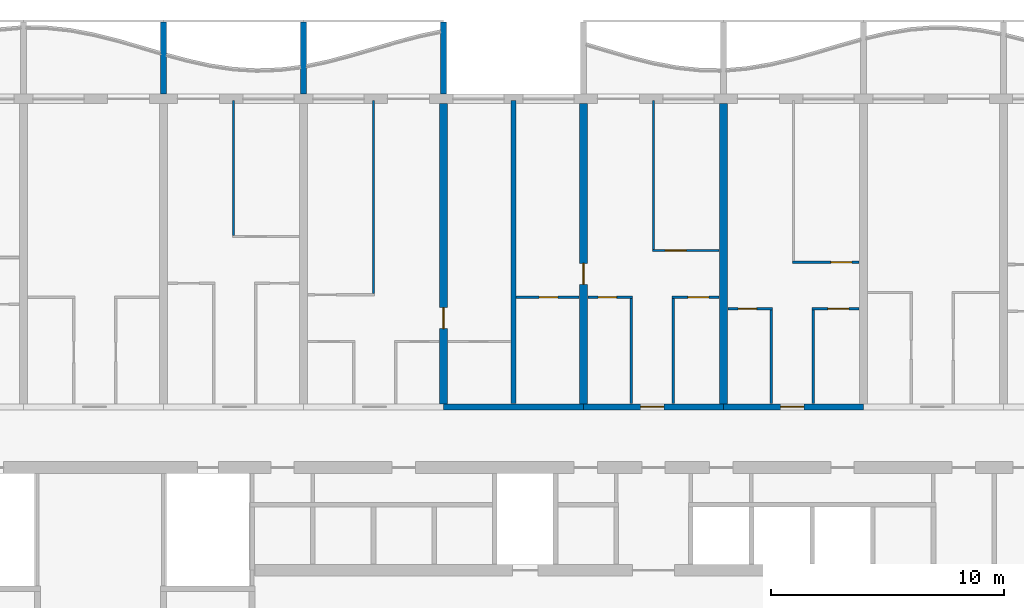
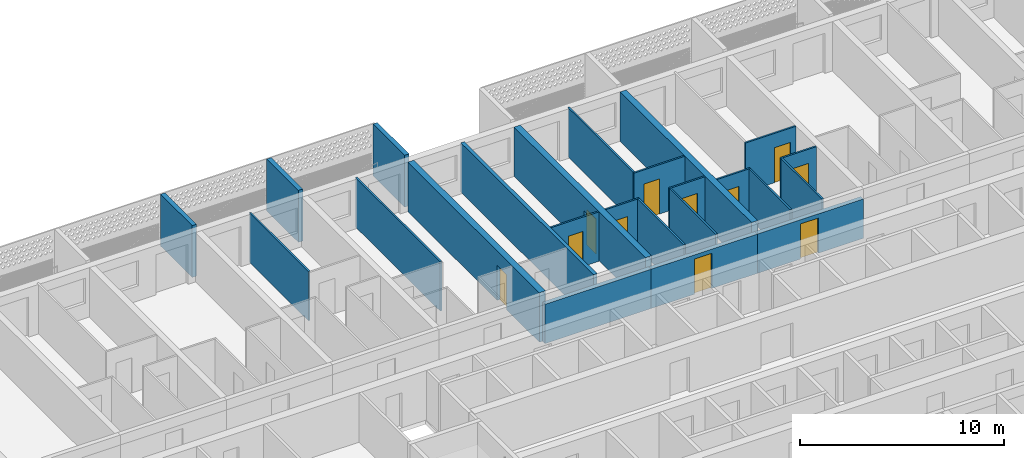
# One storey, part 10 of 24: 24 walls, 11 doors, 11 openings.
"""IFC4 building model written with IfcOpenShell, lengths in metres."""

from ifc_helpers import new_model, si_unit, direction, frame, frame_2d, origin, place, context, subcontext, project, spatial, polyline, rectangle, outline, extrude, source, transform, mapped, material, layer, layer_set, type_object, element, fill, save


model = new_model("IFC4")

# Units and contexts
model_context = context("Model", 3, precision=1e-05, world=origin(), true_north=direction((0.0, 1.0)))
body_context = subcontext(model_context, "Body", "Model", "MODEL_VIEW")
ifc_project = project(units=[si_unit("LENGTHUNIT", "METRE"), si_unit("AREAUNIT", "SQUARE_METRE"), si_unit("VOLUMEUNIT", "CUBIC_METRE"), si_unit("PLANEANGLEUNIT", "RADIAN"), si_unit("MASSUNIT", "GRAM", prefix="KILO")], contexts=[model_context])

# Site, building, storey
site_placement = place(None, origin())
site = spatial("IfcSite", under=ifc_project, at=site_placement, CompositionType="ELEMENT")
building_placement = place(site_placement, origin())
building = spatial("IfcBuilding", under=site, at=building_placement, Name="Poui Terraces", CompositionType="ELEMENT")
storey_placement = place(building_placement, frame((0.0, 0.0, 112.5)))
storey = spatial("IfcBuildingStorey", under=building, at=storey_placement, Name="L31", CompositionType="ELEMENT", Elevation=112.5)

# Wall
ifc_material_1 = material(Name="Concrete 65 MPa", Category="concrete")
ifc_layer_1 = layer(ifc_material_1, 0.25)
ifc_layer_set_1 = layer_set([ifc_layer_1], Name="Concrete 65 MPa")
wall_type_1 = type_object("IfcWallType", Name="CORRIDOR WALL 250 65MPa", PredefinedType="SHEAR", material=ifc_layer_set_1)
wall_1_placement = place(storey_placement, frame((42.0, 30.39990234375, 0.0), z_axis=(0.0, 0.0, 1.0), x_axis=(1.0, 0.0, 0.0)))
element("IfcWall", 1, at=wall_1_placement, inside=storey, type_object=wall_type_1, Name="CORRIDOR WALL LINE E BAY 6", PredefinedType="SHEAR", context=body_context, shape_type="SweptSolid", body=[
    extrude(rectangle(XDim=6.0, YDim=0.25, at=frame_2d((3.0, 0.0))), origin(), (0.0, 0.0, 1.0), 2.35009765625),
])

# Wall, opening, door
wall_2_placement = place(storey_placement, frame((48.0, 30.39990234375, 0.0), z_axis=(0.0, 0.0, 1.0), x_axis=(1.0, 0.0, 0.0)))
wall_2 = element("IfcWall", 2, at=wall_2_placement, inside=storey, type_object=wall_type_1, Name="CORRIDOR WALL LINE E BAY 7", PredefinedType="SHEAR", context=body_context, shape_type="SweptSolid", body=[
    extrude(rectangle(XDim=6.0, YDim=0.25, at=frame_2d((3.0, 0.0))), origin(), (0.0, 0.0, 1.0), 2.35009765625),
])
opening_1_placement = place(wall_2_placement, frame((2.449951171875, 0.0, 0.0)))
opening_1 = element("IfcOpeningElement", 3, at=opening_1_placement, cuts=wall_2, Name="Opening FD30S", PredefinedType="OPENING", context=body_context, shape_type="SweptSolid", body=[
    extrude(rectangle(XDim=1.0, YDim=2.10009765625, at=frame_2d((0.5, 1.050048828125))), frame((0.0, 0.135009765625, 0.0), z_axis=(0.0, -1.0, 0.0), x_axis=(1.0, 0.0, 0.0)), (0.0, 0.0, 1.0), 0.27001953125),
])
ifc_material_2 = material(Name="Steel fire door", Category="steel")
door_type_1 = type_object("IfcDoorType", Name="FLAT ENTRANCE DOOR 1000 X 2100", OperationType="NOTDEFINED", PredefinedType="DOOR", material=ifc_material_2)
door_1_placement = place(opening_1_placement, origin())
door_1 = element("IfcDoor", 4, at=door_1_placement, inside=storey, type_object=door_type_1, Name="FLAT ENTRANCE DOOR 051", OperationType="SINGLE_SWING_LEFT", OverallHeight=2.10009765625, OverallWidth=1.0, PredefinedType="DOOR", context=body_context, shape_type="SweptSolid", body=[
    extrude(rectangle(XDim=1.0, YDim=2.10009765625, at=frame_2d((0.5, 1.050048828125))), frame((0.0, 0.02490234375, 0.0), z_axis=(0.0, -1.0, 0.0), x_axis=(1.0, 0.0, 0.0)), (0.0, 0.0, 1.0), 0.050048828125),
])
fill(opening_1, door_1)

wall_3_placement = place(storey_placement, frame((54.0, 30.39990234375, 0.0), z_axis=(0.0, 0.0, 1.0), x_axis=(1.0, 0.0, 0.0)))
wall_3 = element("IfcWall", 5, at=wall_3_placement, inside=storey, type_object=wall_type_1, Name="CORRIDOR WALL LINE E BAY 8", PredefinedType="SHEAR", context=body_context, shape_type="SweptSolid", body=[
    extrude(rectangle(XDim=6.0, YDim=0.25, at=frame_2d((3.0, 0.0))), origin(), (0.0, 0.0, 1.0), 2.35009765625),
])
opening_2_placement = place(wall_3_placement, frame((2.449951171875, 0.0, 0.0)))
opening_2 = element("IfcOpeningElement", 6, at=opening_2_placement, cuts=wall_3, Name="Opening FD30S", PredefinedType="OPENING", context=body_context, shape_type="SweptSolid", body=[
    extrude(rectangle(XDim=1.0, YDim=2.10009765625, at=frame_2d((0.5, 1.050048828125))), frame((0.0, 0.135009765625, 0.0), z_axis=(0.0, -1.0, 0.0), x_axis=(1.0, 0.0, 0.0)), (0.0, 0.0, 1.0), 0.27001953125),
])
door_2_placement = place(opening_2_placement, origin())
door_2 = element("IfcDoor", 7, at=door_2_placement, inside=storey, type_object=door_type_1, Name="FLAT ENTRANCE DOOR 055", OperationType="SINGLE_SWING_LEFT", OverallHeight=2.10009765625, OverallWidth=1.0, PredefinedType="DOOR", context=body_context, shape_type="SweptSolid", body=[
    extrude(rectangle(XDim=1.0, YDim=2.10009765625, at=frame_2d((0.5, 1.050048828125))), frame((0.0, 0.02490234375, 0.0), z_axis=(0.0, -1.0, 0.0), x_axis=(1.0, 0.0, 0.0)), (0.0, 0.0, 1.0), 0.050048828125),
])
fill(opening_2, door_2)

ifc_layer_2 = layer(ifc_material_1, 0.35009765625)
ifc_layer_set_2 = layer_set([ifc_layer_2], Name="Concrete 65 MPa")
wall_type_2 = type_object("IfcWallType", Name="CROSS WALL 350 65MPa", PredefinedType="SHEAR", material=ifc_layer_set_2)
wall_4_placement = place(storey_placement, frame((42.0, 30.52490234375, 0.0), z_axis=(0.0, 0.0, 1.0), x_axis=(0.0, 1.0, 0.0)))
wall_4 = element("IfcWall", 8, at=wall_4_placement, inside=storey, type_object=wall_type_2, Name="CROSS WALL LINE 8 NORTH", PredefinedType="SHEAR", context=body_context, shape_type="SweptSolid", body=[
    extrude(rectangle(XDim=12.875, YDim=0.35009765625, at=frame_2d((6.4375, 0.0))), origin(), (0.0, 0.0, 1.0), 2.949951171875),
])
opening_3_placement = place(wall_4_placement, frame((3.22509765625, 0.0, 0.0)))
opening_3 = element("IfcOpeningElement", 9, at=opening_3_placement, cuts=wall_4, Name="Opening D90", PredefinedType="OPENING", context=body_context, shape_type="SweptSolid", body=[
    extrude(rectangle(XDim=0.89990234375, YDim=2.10009765625, at=frame_2d((0.449951171875, 1.050048828125))), frame((0.0, 0.18505859375, 0.0), z_axis=(0.0, -1.0, 0.0), x_axis=(1.0, 0.0, 0.0)), (0.0, 0.0, 1.0), 0.3701171875),
])
ifc_material_3 = material(Name="Solid core timber door", Category="wood")
door_type_2 = type_object("IfcDoorType", Name="INTERNAL DOOR 900 X 2100", OperationType="NOTDEFINED", PredefinedType="DOOR", material=ifc_material_3)
door_3_placement = place(opening_3_placement, frame((0.89990234375, 0.0, 0.0), z_axis=(0.0, 0.0, 1.0), x_axis=(-1.0, 0.0, 0.0)))
door_3 = element("IfcDoor", 10, at=door_3_placement, inside=storey, type_object=door_type_2, Name="INTERNAL DOOR 047", OperationType="SINGLE_SWING_RIGHT", OverallHeight=2.10009765625, OverallWidth=0.89990234375, PredefinedType="DOOR", context=body_context, shape_type="SweptSolid", body=[
    extrude(rectangle(XDim=0.89990234375, YDim=2.10009765625, at=frame_2d((0.449951171875, 1.050048828125))), frame((0.0, 0.02490234375, 0.0), z_axis=(0.0, -1.0, 0.0), x_axis=(1.0, 0.0, 0.0)), (0.0, 0.0, 1.0), 0.050048828125),
])
fill(opening_3, door_3)

wall_5_placement = place(storey_placement, frame((48.0, 30.52490234375, 0.0), z_axis=(0.0, 0.0, 1.0), x_axis=(0.0, 1.0, 0.0)))
wall_5 = element("IfcWall", 11, at=wall_5_placement, inside=storey, type_object=wall_type_2, Name="CROSS WALL LINE 9 NORTH", PredefinedType="SHEAR", context=body_context, shape_type="SweptSolid", body=[
    extrude(rectangle(XDim=12.875, YDim=0.35009765625, at=frame_2d((6.4375, 0.0))), origin(), (0.0, 0.0, 1.0), 2.949951171875),
])
opening_4_placement = place(wall_5_placement, frame((5.125, 0.0, 0.0)))
opening_4 = element("IfcOpeningElement", 12, at=opening_4_placement, cuts=wall_5, Name="Opening D90", PredefinedType="OPENING", context=body_context, shape_type="SweptSolid", body=[
    extrude(rectangle(XDim=0.89990234375, YDim=2.10009765625, at=frame_2d((0.449951171875, 1.050048828125))), frame((0.0, 0.18505859375, 0.0), z_axis=(0.0, -1.0, 0.0), x_axis=(1.0, 0.0, 0.0)), (0.0, 0.0, 1.0), 0.3701171875),
])
door_4_placement = place(opening_4_placement, origin())
door_4 = element("IfcDoor", 13, at=door_4_placement, inside=storey, type_object=door_type_2, Name="INTERNAL DOOR 049", OperationType="SINGLE_SWING_LEFT", OverallHeight=2.10009765625, OverallWidth=0.89990234375, PredefinedType="DOOR", context=body_context, shape_type="SweptSolid", body=[
    extrude(rectangle(XDim=0.89990234375, YDim=2.10009765625, at=frame_2d((0.449951171875, 1.050048828125))), frame((0.0, 0.02490234375, 0.0), z_axis=(0.0, -1.0, 0.0), x_axis=(1.0, 0.0, 0.0)), (0.0, 0.0, 1.0), 0.050048828125),
])
fill(opening_4, door_4)

# Wall
wall_6_placement = place(storey_placement, frame((54.0, 30.52490234375, 0.0), z_axis=(0.0, 0.0, 1.0), x_axis=(0.0, 1.0, 0.0)))
element("IfcWall", 14, at=wall_6_placement, inside=storey, type_object=wall_type_2, Name="CROSS WALL LINE 10 NORTH", PredefinedType="SHEAR", context=body_context, shape_type="SweptSolid", body=[
    extrude(rectangle(XDim=12.875, YDim=0.35009765625, at=frame_2d((6.4375, 0.0))), origin(), (0.0, 0.0, 1.0), 2.949951171875),
])

# Wall, opening, door
ifc_material_4 = material(Name="Plasterboard partition")
ifc_layer_3 = layer(ifc_material_4, 0.10009765625)
ifc_layer_set_3 = layer_set([ifc_layer_3], Name="Plasterboard partition")
wall_type_3 = type_object("IfcWallType", Name="FLAT PARTITION 100", PredefinedType="PARTITIONING", material=ifc_layer_set_3)
wall_7_placement = place(storey_placement, frame((54.18505859375, 34.60009765625, 0.0), z_axis=(0.0, 0.0, 1.0), x_axis=(1.0, 0.0, 0.0)))
wall_7 = element("IfcWall", 15, at=wall_7_placement, inside=storey, type_object=wall_type_3, Name="FLAT PARTITION 100", PredefinedType="PARTITIONING", context=body_context, shape_type="SweptSolid", body=[
    extrude(rectangle(XDim=1.9150390625, YDim=0.10009765625, at=frame_2d((0.95751953125, 0.0))), origin(), (0.0, 0.0, 1.0), 2.949951171875),
])
opening_5_placement = place(wall_7_placement, frame((0.43994140625, 0.0, 0.0)))
opening_5 = element("IfcOpeningElement", 16, at=opening_5_placement, cuts=wall_7, Name="Opening D80", PredefinedType="OPENING", context=body_context, shape_type="SweptSolid", body=[
    extrude(rectangle(XDim=0.800048828125, YDim=2.10009765625, at=frame_2d((0.39990234375, 1.050048828125))), frame((0.0, 0.06005859375, 0.0), z_axis=(0.0, -1.0, 0.0), x_axis=(1.0, 0.0, 0.0)), (0.0, 0.0, 1.0), 0.1201171875),
])
door_type_3 = type_object("IfcDoorType", Name="BATHROOM, LAUNDRY AND STORE DOOR 800 X 2100", OperationType="NOTDEFINED", PredefinedType="DOOR", material=ifc_material_3)
door_5_placement = place(opening_5_placement, frame((0.800048828125, 0.0, 0.0), z_axis=(0.0, 0.0, 1.0), x_axis=(-1.0, 0.0, 0.0)))
door_5 = element("IfcDoor", 17, at=door_5_placement, inside=storey, type_object=door_type_3, Name="BATHROOM, LAUNDRY AND STORE DOOR 054", OperationType="SINGLE_SWING_RIGHT", OverallHeight=2.10009765625, OverallWidth=0.800048828125, PredefinedType="DOOR", context=body_context, shape_type="SweptSolid", body=[
    extrude(rectangle(XDim=0.800048828125, YDim=2.10009765625, at=frame_2d((0.39990234375, 1.050048828125))), frame((0.0, 0.02490234375, 0.0), z_axis=(0.0, -1.0, 0.0), x_axis=(1.0, 0.0, 0.0)), (0.0, 0.0, 1.0), 0.050048828125),
])
fill(opening_5, door_5)

wall_8_placement = place(storey_placement, frame((57.800048828125, 34.60009765625, 0.0), z_axis=(0.0, 0.0, 1.0), x_axis=(1.0, 0.0, 0.0)))
wall_8 = element("IfcWall", 18, at=wall_8_placement, inside=storey, type_object=wall_type_3, Name="FLAT PARTITION 100", PredefinedType="PARTITIONING", context=body_context, shape_type="SweptSolid", body=[
    extrude(rectangle(XDim=2.014892578125, YDim=0.10009765625, at=frame_2d((1.00732421875, 0.0))), origin(), (0.0, 0.0, 1.0), 2.949951171875),
])
opening_6_placement = place(wall_8_placement, frame((0.675048828125, 0.0, 0.0)))
opening_6 = element("IfcOpeningElement", 19, at=opening_6_placement, cuts=wall_8, Name="Opening D90", PredefinedType="OPENING", context=body_context, shape_type="SweptSolid", body=[
    extrude(rectangle(XDim=0.89990234375, YDim=2.10009765625, at=frame_2d((0.449951171875, 1.050048828125))), frame((0.0, 0.06005859375, 0.0), z_axis=(0.0, -1.0, 0.0), x_axis=(1.0, 0.0, 0.0)), (0.0, 0.0, 1.0), 0.1201171875),
])
door_6_placement = place(opening_6_placement, frame((0.89990234375, 0.0, 0.0), z_axis=(0.0, 0.0, 1.0), x_axis=(-1.0, 0.0, 0.0)))
door_6 = element("IfcDoor", 20, at=door_6_placement, inside=storey, type_object=door_type_2, Name="INTERNAL DOOR 056", OperationType="SINGLE_SWING_LEFT", OverallHeight=2.10009765625, OverallWidth=0.89990234375, PredefinedType="DOOR", context=body_context, shape_type="SweptSolid", body=[
    extrude(rectangle(XDim=0.89990234375, YDim=2.10009765625, at=frame_2d((0.449951171875, 1.050048828125))), frame((0.0, 0.02490234375, 0.0), z_axis=(0.0, -1.0, 0.0), x_axis=(1.0, 0.0, 0.0)), (0.0, 0.0, 1.0), 0.050048828125),
])
fill(opening_6, door_6)

wall_9_placement = place(storey_placement, frame((45.10009765625, 35.10009765625, 0.0), z_axis=(0.0, 0.0, 1.0), x_axis=(1.0, 0.0, 0.0)))
wall_9 = element("IfcWall", 21, at=wall_9_placement, inside=storey, type_object=wall_type_3, Name="FLAT PARTITION 100", PredefinedType="PARTITIONING", context=body_context, shape_type="SweptSolid", body=[
    extrude(rectangle(XDim=2.71484375, YDim=0.10009765625, at=frame_2d((1.357421875, 0.0))), origin(), (0.0, 0.0, 1.0), 2.949951171875),
])
opening_7_placement = place(wall_9_placement, frame((1.0, 0.0, 0.0)))
opening_7 = element("IfcOpeningElement", 22, at=opening_7_placement, cuts=wall_9, Name="Opening D80", PredefinedType="OPENING", context=body_context, shape_type="SweptSolid", body=[
    extrude(rectangle(XDim=0.800048828125, YDim=2.10009765625, at=frame_2d((0.39990234375, 1.050048828125))), frame((0.0, 0.06005859375, 0.0), z_axis=(0.0, -1.0, 0.0), x_axis=(1.0, 0.0, 0.0)), (0.0, 0.0, 1.0), 0.1201171875),
])
door_7_placement = place(opening_7_placement, frame((0.800048828125, 0.0, 0.0), z_axis=(0.0, 0.0, 1.0), x_axis=(-1.0, 0.0, 0.0)))
door_7 = element("IfcDoor", 23, at=door_7_placement, inside=storey, type_object=door_type_3, Name="BATHROOM, LAUNDRY AND STORE DOOR 048", OperationType="SINGLE_SWING_LEFT", OverallHeight=2.10009765625, OverallWidth=0.800048828125, PredefinedType="DOOR", context=body_context, shape_type="SweptSolid", body=[
    extrude(rectangle(XDim=0.800048828125, YDim=2.10009765625, at=frame_2d((0.39990234375, 1.050048828125))), frame((0.0, 0.02490234375, 0.0), z_axis=(0.0, -1.0, 0.0), x_axis=(1.0, 0.0, 0.0)), (0.0, 0.0, 1.0), 0.050048828125),
])
fill(opening_7, door_7)

wall_10_placement = place(storey_placement, frame((48.18505859375, 35.10009765625, 0.0), z_axis=(0.0, 0.0, 1.0), x_axis=(1.0, 0.0, 0.0)))
wall_10 = element("IfcWall", 24, at=wall_10_placement, inside=storey, type_object=wall_type_3, Name="FLAT PARTITION 100", PredefinedType="PARTITIONING", context=body_context, shape_type="SweptSolid", body=[
    extrude(rectangle(XDim=1.9150390625, YDim=0.10009765625, at=frame_2d((0.95751953125, 0.0))), origin(), (0.0, 0.0, 1.0), 2.949951171875),
])
opening_8_placement = place(wall_10_placement, frame((0.43994140625, 0.0, 0.0)))
opening_8 = element("IfcOpeningElement", 25, at=opening_8_placement, cuts=wall_10, Name="Opening D80", PredefinedType="OPENING", context=body_context, shape_type="SweptSolid", body=[
    extrude(rectangle(XDim=0.800048828125, YDim=2.10009765625, at=frame_2d((0.39990234375, 1.050048828125))), frame((0.0, 0.06005859375, 0.0), z_axis=(0.0, -1.0, 0.0), x_axis=(1.0, 0.0, 0.0)), (0.0, 0.0, 1.0), 0.1201171875),
])
door_8_placement = place(opening_8_placement, frame((0.800048828125, 0.0, 0.0), z_axis=(0.0, 0.0, 1.0), x_axis=(-1.0, 0.0, 0.0)))
door_8 = element("IfcDoor", 26, at=door_8_placement, inside=storey, type_object=door_type_3, Name="BATHROOM, LAUNDRY AND STORE DOOR 050", OperationType="SINGLE_SWING_LEFT", OverallHeight=2.10009765625, OverallWidth=0.800048828125, PredefinedType="DOOR", context=body_context, shape_type="SweptSolid", body=[
    extrude(rectangle(XDim=0.800048828125, YDim=2.10009765625, at=frame_2d((0.39990234375, 1.050048828125))), frame((0.0, 0.02490234375, 0.0), z_axis=(0.0, -1.0, 0.0), x_axis=(1.0, 0.0, 0.0)), (0.0, 0.0, 1.0), 0.050048828125),
])
fill(opening_8, door_8)

wall_11_placement = place(storey_placement, frame((51.800048828125, 35.10009765625, 0.0), z_axis=(0.0, 0.0, 1.0), x_axis=(1.0, 0.0, 0.0)))
wall_11 = element("IfcWall", 27, at=wall_11_placement, inside=storey, type_object=wall_type_3, Name="FLAT PARTITION 100", PredefinedType="PARTITIONING", context=body_context, shape_type="SweptSolid", body=[
    extrude(rectangle(XDim=2.014892578125, YDim=0.10009765625, at=frame_2d((1.00732421875, 0.0))), origin(), (0.0, 0.0, 1.0), 2.949951171875),
])
opening_9_placement = place(wall_11_placement, frame((0.675048828125, 0.0, 0.0)))
opening_9 = element("IfcOpeningElement", 28, at=opening_9_placement, cuts=wall_11, Name="Opening D90", PredefinedType="OPENING", context=body_context, shape_type="SweptSolid", body=[
    extrude(rectangle(XDim=0.89990234375, YDim=2.10009765625, at=frame_2d((0.449951171875, 1.050048828125))), frame((0.0, 0.06005859375, 0.0), z_axis=(0.0, -1.0, 0.0), x_axis=(1.0, 0.0, 0.0)), (0.0, 0.0, 1.0), 0.1201171875),
])
door_9_placement = place(opening_9_placement, frame((0.89990234375, 0.0, 0.0), z_axis=(0.0, 0.0, 1.0), x_axis=(-1.0, 0.0, 0.0)))
door_9 = element("IfcDoor", 29, at=door_9_placement, inside=storey, type_object=door_type_2, Name="INTERNAL DOOR 053", OperationType="SINGLE_SWING_RIGHT", OverallHeight=2.10009765625, OverallWidth=0.89990234375, PredefinedType="DOOR", context=body_context, shape_type="SweptSolid", body=[
    extrude(rectangle(XDim=0.89990234375, YDim=2.10009765625, at=frame_2d((0.449951171875, 1.050048828125))), frame((0.0, 0.02490234375, 0.0), z_axis=(0.0, -1.0, 0.0), x_axis=(1.0, 0.0, 0.0)), (0.0, 0.0, 1.0), 0.050048828125),
])
fill(opening_9, door_9)

wall_12_placement = place(storey_placement, frame((56.949951171875, 36.60009765625, 0.0), z_axis=(0.0, 0.0, 1.0), x_axis=(1.0, 0.0, 0.0)))
wall_12 = element("IfcWall", 30, at=wall_12_placement, inside=storey, type_object=wall_type_3, Name="FLAT PARTITION 100", PredefinedType="PARTITIONING", context=body_context, shape_type="SweptSolid", body=[
    extrude(rectangle(XDim=2.864990234375, YDim=0.10009765625, at=frame_2d((1.4326171875, 0.0))), origin(), (0.0, 0.0, 1.0), 2.949951171875),
])
opening_10_placement = place(wall_12_placement, frame((1.64990234375, 0.0, 0.0)))
opening_10 = element("IfcOpeningElement", 31, at=opening_10_placement, cuts=wall_12, Name="Opening D90", PredefinedType="OPENING", context=body_context, shape_type="SweptSolid", body=[
    extrude(rectangle(XDim=0.89990234375, YDim=2.10009765625, at=frame_2d((0.449951171875, 1.050048828125))), frame((0.0, 0.06005859375, 0.0), z_axis=(0.0, -1.0, 0.0), x_axis=(1.0, 0.0, 0.0)), (0.0, 0.0, 1.0), 0.1201171875),
])
door_10_placement = place(opening_10_placement, frame((0.89990234375, 0.0, 0.0), z_axis=(0.0, 0.0, 1.0), x_axis=(-1.0, 0.0, 0.0)))
door_10 = element("IfcDoor", 32, at=door_10_placement, inside=storey, type_object=door_type_2, Name="INTERNAL DOOR 057", OperationType="SINGLE_SWING_RIGHT", OverallHeight=2.10009765625, OverallWidth=0.89990234375, PredefinedType="DOOR", context=body_context, shape_type="SweptSolid", body=[
    extrude(rectangle(XDim=0.89990234375, YDim=2.10009765625, at=frame_2d((0.449951171875, 1.050048828125))), frame((0.0, 0.02490234375, 0.0), z_axis=(0.0, -1.0, 0.0), x_axis=(1.0, 0.0, 0.0)), (0.0, 0.0, 1.0), 0.050048828125),
])
fill(opening_10, door_10)

wall_13_placement = place(storey_placement, frame((50.949951171875, 37.10009765625, 0.0), z_axis=(0.0, 0.0, 1.0), x_axis=(1.0, 0.0, 0.0)))
wall_13 = element("IfcWall", 33, at=wall_13_placement, inside=storey, type_object=wall_type_3, Name="FLAT PARTITION 100", PredefinedType="PARTITIONING", context=body_context, shape_type="SweptSolid", body=[
    extrude(rectangle(XDim=2.864990234375, YDim=0.10009765625, at=frame_2d((1.4326171875, 0.0))), origin(), (0.0, 0.0, 1.0), 2.949951171875),
])
opening_11_placement = place(wall_13_placement, frame((0.550048828125, 0.0, 0.0)))
opening_11 = element("IfcOpeningElement", 34, at=opening_11_placement, cuts=wall_13, Name="Opening D90", PredefinedType="OPENING", context=body_context, shape_type="SweptSolid", body=[
    extrude(rectangle(XDim=0.89990234375, YDim=2.10009765625, at=frame_2d((0.449951171875, 1.050048828125))), frame((0.0, 0.06005859375, 0.0), z_axis=(0.0, -1.0, 0.0), x_axis=(1.0, 0.0, 0.0)), (0.0, 0.0, 1.0), 0.1201171875),
])
door_11_placement = place(opening_11_placement, frame((0.89990234375, 0.0, 0.0), z_axis=(0.0, 0.0, 1.0), x_axis=(-1.0, 0.0, 0.0)))
door_11 = element("IfcDoor", 35, at=door_11_placement, inside=storey, type_object=door_type_2, Name="INTERNAL DOOR 052", OperationType="SINGLE_SWING_LEFT", OverallHeight=2.10009765625, OverallWidth=0.89990234375, PredefinedType="DOOR", context=body_context, shape_type="SweptSolid", body=[
    extrude(rectangle(XDim=0.89990234375, YDim=2.10009765625, at=frame_2d((0.449951171875, 1.050048828125))), frame((0.0, 0.02490234375, 0.0), z_axis=(0.0, -1.0, 0.0), x_axis=(1.0, 0.0, 0.0)), (0.0, 0.0, 1.0), 0.050048828125),
])
fill(opening_11, door_11)

# Walls
wall_14_placement = place(storey_placement, frame((33.0, 37.75, 0.0), z_axis=(0.0, 0.0, 1.0), x_axis=(0.0, 1.0, 0.0)))
element("IfcWall", 36, at=wall_14_placement, inside=storey, type_object=wall_type_3, Name="FLAT PARTITION 100", PredefinedType="PARTITIONING", context=body_context, shape_type="SweptSolid", body=[
    extrude(rectangle(XDim=5.7900390625, YDim=0.10009765625, at=frame_2d((2.89501953125, 0.0))), origin(), (0.0, 0.0, 1.0), 2.949951171875),
])
wall_15_placement = place(storey_placement, frame((39.0, 35.25, 0.0), z_axis=(0.0, 0.0, 1.0), x_axis=(0.0, 1.0, 0.0)))
element("IfcWall", 37, at=wall_15_placement, inside=storey, type_object=wall_type_3, Name="FLAT PARTITION 100", PredefinedType="PARTITIONING", context=body_context, shape_type="SweptSolid", body=[
    extrude(rectangle(XDim=8.2900390625, YDim=0.10009765625, at=frame_2d((4.14501953125, 0.0))), origin(), (0.0, 0.0, 1.0), 2.949951171875),
])
wall_16_placement = place(storey_placement, frame((50.050048828125, 30.534912109375, 0.0), z_axis=(0.0, 0.0, 1.0), x_axis=(0.0, 1.0, 0.0)))
element("IfcWall", 38, at=wall_16_placement, inside=storey, type_object=wall_type_3, Name="FLAT PARTITION 100", PredefinedType="PARTITIONING", context=body_context, shape_type="SweptSolid", body=[
    extrude(rectangle(XDim=4.51513671875, YDim=0.10009765625, at=frame_2d((2.257568359375, 0.0))), origin(), (0.0, 0.0, 1.0), 2.949951171875),
])
wall_17_placement = place(storey_placement, frame((51.0, 37.14990234375, 0.0), z_axis=(0.0, 0.0, 1.0), x_axis=(0.0, 1.0, 0.0)))
element("IfcWall", 39, at=wall_17_placement, inside=storey, type_object=wall_type_3, Name="FLAT PARTITION 100", PredefinedType="PARTITIONING", context=body_context, shape_type="SweptSolid", body=[
    extrude(rectangle(XDim=6.39013671875, YDim=0.10009765625, at=frame_2d((3.195068359375, 0.0))), origin(), (0.0, 0.0, 1.0), 2.949951171875),
])
wall_18_placement = place(storey_placement, frame((51.85009765625, 30.534912109375, 0.0), z_axis=(0.0, 0.0, 1.0), x_axis=(0.0, 1.0, 0.0)))
element("IfcWall", 40, at=wall_18_placement, inside=storey, type_object=wall_type_3, Name="FLAT PARTITION 100", PredefinedType="PARTITIONING", context=body_context, shape_type="SweptSolid", body=[
    extrude(rectangle(XDim=4.51513671875, YDim=0.10009765625, at=frame_2d((2.257568359375, 0.0))), origin(), (0.0, 0.0, 1.0), 2.949951171875),
])
for number, where, z_axis, x_axis, name in (
    (41, (56.050048828125, 30.534912109375, 0.0), (0.0, 0.0, 1.0), (0.0, 1.0, 0.0), "FLAT PARTITION 100"),
    (42, (57.85009765625, 30.534912109375, 0.0), (0.0, 0.0, 1.0), (0.0, 1.0, 0.0), "FLAT PARTITION 100"),
):
    element("IfcWall", number, at=place(storey_placement, frame(where, z_axis=z_axis, x_axis=x_axis)), inside=storey, type_object=wall_type_3, Name=name, PredefinedType="PARTITIONING", context=body_context, shape_type="SweptSolid", body=[
        extrude(rectangle(XDim=4.01513671875, YDim=0.10009765625, at=frame_2d((2.007568359375, 0.0))), origin(), (0.0, 0.0, 1.0), 2.949951171875),
    ])
ifc_material_5 = material(Name="Fire-rated masonry wall", Category="masonry")
ifc_layer_4 = layer(ifc_material_5, 0.199951171875)
ifc_layer_set_4 = layer_set([ifc_layer_4], Name="Fire-rated masonry wall")
wall_type_4 = type_object("IfcWallType", Name="FLAT PARTY WALL 200", PredefinedType="PARTITIONING", material=ifc_layer_set_4)
wall_19_placement = place(storey_placement, frame((45.0, 30.534912109375, 0.0), z_axis=(0.0, 0.0, 1.0), x_axis=(0.0, 1.0, 0.0)))
element("IfcWall", 43, at=wall_19_placement, inside=storey, type_object=wall_type_4, Name="FLAT PARTY WALL 200", PredefinedType="PARTITIONING", context=body_context, shape_type="SweptSolid", body=[
    extrude(rectangle(XDim=13.005126953125, YDim=0.199951171875, at=frame_2d((6.50244140625, 0.0))), origin(), (0.0, 0.0, 1.0), 2.949951171875),
])
ifc_material_6 = material(Name="Precast concrete 40 MPa", Category="concrete")
ifc_layer_5 = layer(ifc_material_6, 0.25)
ifc_layer_set_5 = layer_set([ifc_layer_5], Name="Precast concrete 40 MPa")
wall_type_5 = type_object("IfcWallType", Name="BALCONY FIN 250", PredefinedType="STANDARD", material=ifc_layer_set_5)
shared_shape = source(origin(), body_context, "Body", "SweptSolid", [
    extrude(outline(polyline([(0.0, 0.0), (0.25, 0.0), (0.25, 3.099853515625), (0.0, 3.099853515625), (0.0, 0.0)])), origin(), (0.0, 0.0, 1.0), 3.10009765625),
])
for number, where, name in (
    (44, (29.875, 43.800048828125, 0.0), "BALCONY FIN"),
    (45, (35.875, 43.800048828125, 0.0), "BALCONY FIN"),
    (46, (41.875, 43.800048828125, 0.0), "BALCONY FIN"),
):
    element("IfcWall", number, at=place(storey_placement, frame(where)), inside=storey, type_object=wall_type_5, Name=name, PredefinedType="STANDARD", context=body_context, shape_type="MappedRepresentation", body=[
        mapped(shared_shape, transform((0.0, 0.0, 0.0))),
    ])

save(model, "model.ifc")
